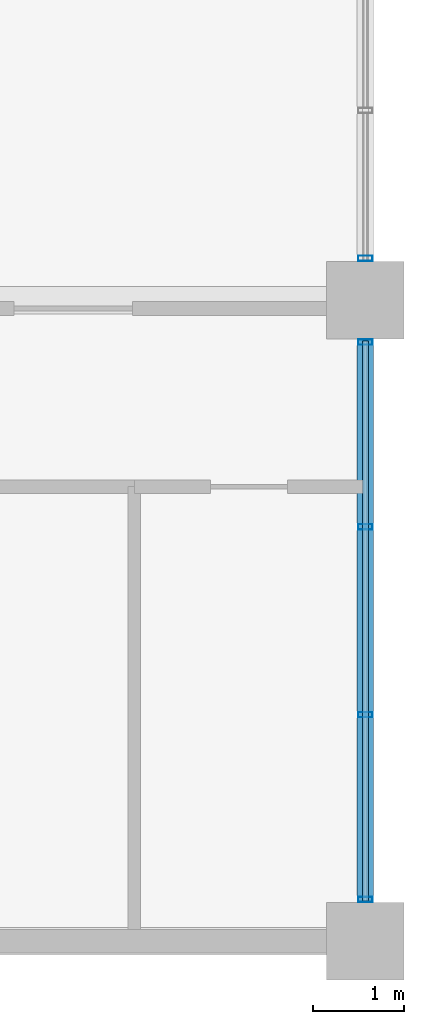
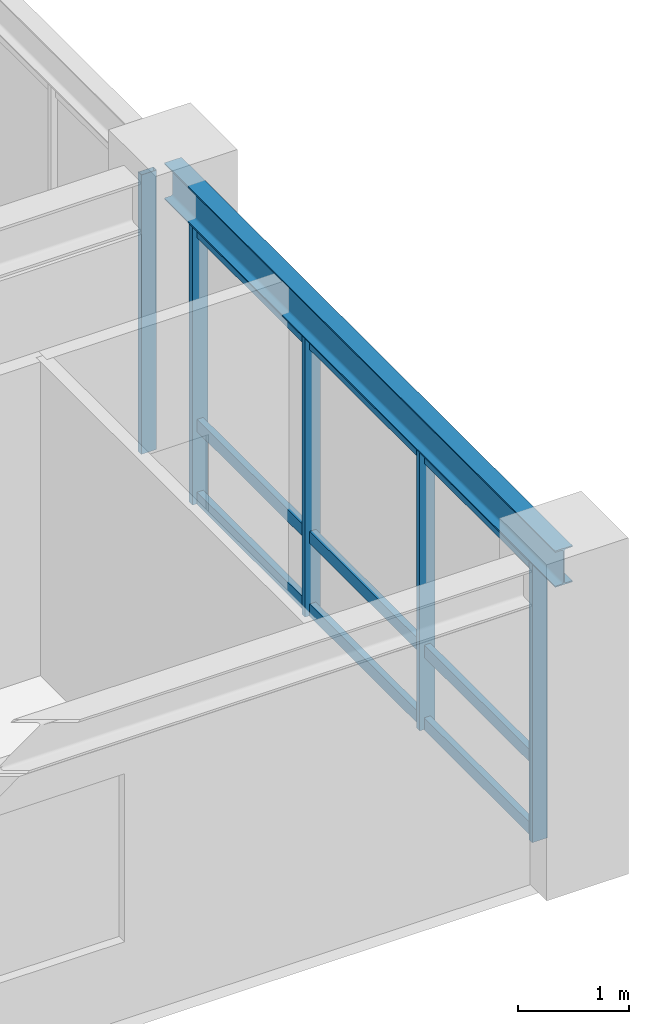
# One storey, part 2 of 10: 8 members, 1 beam, 2 elements without a shape of their own.
"""IFC4 building model written with IfcOpenShell, lengths in metres."""

from ifc_helpers import new_model, si_unit, direction, frame, origin, origin_2d, place, context, subcontext, project, spatial, hollow_rectangle, i_section, extrude, source, transform, mapped, material, layer, layer_set, material_profile, profile_set, type_object, element, aggregate, save


model = new_model("IFC4")

# Units and contexts
model_context = context("Model", 3, precision=1e-05, world=origin(), true_north=direction((0.0, 1.0)))
body_context = subcontext(model_context, "Body", "Model", "MODEL_VIEW")
ifc_project = project(units=[si_unit("LENGTHUNIT", "METRE"), si_unit("AREAUNIT", "SQUARE_METRE"), si_unit("VOLUMEUNIT", "CUBIC_METRE"), si_unit("PLANEANGLEUNIT", "RADIAN"), si_unit("MASSUNIT", "GRAM", prefix="KILO")], contexts=[model_context])

# Site, building, storey
site_placement = place(None, origin())
site = spatial("IfcSite", under=ifc_project, at=site_placement, CompositionType="ELEMENT")
building_placement = place(site_placement, origin())
building = spatial("IfcBuilding", under=site, at=building_placement, Name="Kaliganga Portal Commons", CompositionType="ELEMENT")
storey_placement = place(building_placement, frame((0.0, 0.0, 275.800048828125)))
storey = spatial("IfcBuildingStorey", under=building, at=storey_placement, Name="L71", CompositionType="ELEMENT", Elevation=275.800048828125)

# Beam
ifc_material_1 = material(Name="Structural steel S355J2", Category="steel")
ifc_material_profile_1 = material_profile(ifc_material_1, i_section(OverallWidth=0.179931640625, OverallDepth=0.39990234375, WebThickness=0.008544921875, FlangeThickness=0.013427734375, FilletRadius=0.02099609375, at=origin_2d()), Name="IPE 400")
ifc_profile_set_1 = profile_set([ifc_material_profile_1], Name="Structural steel S355J2 wide-flange")
beam_type = type_object("IfcBeamType", Name="BM-FLR-400", PredefinedType="BEAM", material=ifc_profile_set_1)
shared_shape_1 = source(origin(), body_context, "Body", "SweptSolid", [
    extrude(i_section(OverallWidth=0.179931640625, OverallDepth=0.39990234375, WebThickness=0.008544921875, FlangeThickness=0.013427734375, FilletRadius=0.02099609375, at=origin_2d()), origin(), (0.0, 0.0, 1.0), 7.0498046875),
])
beam_placement = place(storey_placement, frame((46.800048828125, 21.60009765625, 3.27490234375), z_axis=(0.0, 1.0, 0.0), x_axis=(-1.0, 0.0, 0.0)))
element("IfcBeam", 1, at=beam_placement, inside=storey, type_object=beam_type, Name="BM G L71 AS468", PredefinedType="BEAM", context=body_context, shape_type="MappedRepresentation", body=[
    mapped(shared_shape_1, transform((0.0, 0.0, 0.0), x_axis=(1.0, 0.0, 0.0), y_axis=(0.0, 1.0, 0.0), z_axis=(0.0, 0.0, 1.0), scale=1.0)),
])

# Curtain wall, members
ifc_material_2 = material(Name="Anodized Aluminium and Laminated Low-E Glass", Category="aluminium")
ifc_layer = layer(ifc_material_2, 0.18994140625)
ifc_layer_set = layer_set([ifc_layer], Name="Anodized Aluminium and Laminated Low-E Glass")
curtain_wall_type = type_object("IfcCurtainWallType", Name="CW-SYS-05", PredefinedType="NOTDEFINED", material=ifc_layer_set)
curtain_wall_1_placement = place(storey_placement, origin())
curtain_wall_1 = element("IfcCurtainWall", 2, at=curtain_wall_1_placement, inside=storey, type_object=curtain_wall_type, Name="CW 05 L71 P1E01S1", PredefinedType="NOTDEFINED")
ifc_material_3 = material(Name="Dark Bronze Anodized Aluminium", Category="aluminium")
ifc_material_profile_2 = material_profile(ifc_material_3, hollow_rectangle(XDim=0.06005859375, YDim=0.159912109375, WallThickness=0.00341796875, at=origin_2d()), Name="ALU MULL 60x160x3.5")
ifc_profile_set_2 = profile_set([ifc_material_profile_2], Name="Dark Bronze Anodized Aluminium")
member_type_1 = type_object("IfcMemberType", Name="CW-MUL-160", PredefinedType="MULLION", material=ifc_profile_set_2)
shared_shape_2 = source(origin(), body_context, "Body", "SweptSolid", [
    extrude(hollow_rectangle(XDim=0.06005859375, YDim=0.159912109375, WallThickness=0.00341796875, at=origin_2d()), origin(), (0.0, 0.0, 1.0), 3.074951171875),
])
member_1_placement = place(storey_placement, frame((46.800048828125, 22.06103515625, 0.0), z_axis=(0.0, 0.0, 1.0), x_axis=(0.0, 1.0, 0.0)))
member_1 = element("IfcMember", 3, at=member_1_placement, type_object=member_type_1, Name="CW:05:L71:P1E01S1 Mullion 00", PredefinedType="MULLION", context=body_context, shape_type="MappedRepresentation", body=[
    mapped(shared_shape_2, transform((0.0, 0.0, 0.0), x_axis=(1.0, 0.0, 0.0), y_axis=(0.0, 1.0, 0.0), z_axis=(0.0, 0.0, 1.0), scale=1.0)),
])
member_2_placement = place(storey_placement, frame((46.800048828125, 24.092041015625, 0.0), z_axis=(0.0, 0.0, 1.0), x_axis=(0.0, 1.0, 0.0)))
member_2 = element("IfcMember", 4, at=member_2_placement, type_object=member_type_1, Name="CW:05:L71:P1E01S1 Mullion 01", PredefinedType="MULLION", context=body_context, shape_type="MappedRepresentation", body=[
    mapped(shared_shape_2, transform((0.0, 0.0, 0.0), x_axis=(1.0, 0.0, 0.0), y_axis=(0.0, 1.0, 0.0), z_axis=(0.0, 0.0, 1.0), scale=1.0)),
])
member_3_placement = place(storey_placement, frame((46.800048828125, 26.157958984375, 0.0), z_axis=(0.0, 0.0, 1.0), x_axis=(0.0, 1.0, 0.0)))
member_3 = element("IfcMember", 5, at=member_3_placement, type_object=member_type_1, Name="CW:05:L71:P1E01S1 Mullion 02", PredefinedType="MULLION", context=body_context, shape_type="MappedRepresentation", body=[
    mapped(shared_shape_2, transform((0.0, 0.0, 0.0), x_axis=(1.0, 0.0, 0.0), y_axis=(0.0, 1.0, 0.0), z_axis=(0.0, 0.0, 1.0), scale=1.0)),
])
member_4_placement = place(storey_placement, frame((46.800048828125, 28.18896484375, 0.0), z_axis=(0.0, 0.0, 1.0), x_axis=(0.0, 1.0, 0.0)))
member_4 = element("IfcMember", 6, at=member_4_placement, type_object=member_type_1, Name="CW:05:L71:P1E01S1 Mullion 03", PredefinedType="MULLION", context=body_context, shape_type="MappedRepresentation", body=[
    mapped(shared_shape_2, transform((0.0, 0.0, 0.0), x_axis=(1.0, 0.0, 0.0), y_axis=(0.0, 1.0, 0.0), z_axis=(0.0, 0.0, 1.0), scale=1.0)),
])

# Curtain wall, member
curtain_wall_2_placement = place(storey_placement, origin())
curtain_wall_2 = element("IfcCurtainWall", 7, at=curtain_wall_2_placement, inside=storey, type_object=curtain_wall_type, Name="CW 05 L71 P1E01S2", PredefinedType="NOTDEFINED")
member_5_placement = place(storey_placement, frame((46.800048828125, 29.111083984375, 0.0), z_axis=(0.0, 0.0, 1.0), x_axis=(0.0, 1.0, 0.0)))
member_5 = element("IfcMember", 8, at=member_5_placement, type_object=member_type_1, Name="CW:05:L71:P1E01S2 Mullion 00", PredefinedType="MULLION", context=body_context, shape_type="MappedRepresentation", body=[
    mapped(shared_shape_2, transform((0.0, 0.0, 0.0), x_axis=(1.0, 0.0, 0.0), y_axis=(0.0, 1.0, 0.0), z_axis=(0.0, 0.0, 1.0), scale=1.0)),
])
aggregate(curtain_wall_2, [member_5])

# Member
ifc_material_profile_3 = material_profile(ifc_material_3, hollow_rectangle(XDim=0.06494140625, YDim=0.135009765625, WallThickness=0.00341796875, at=origin_2d()), Name="ALU TRAN 65x135x3.5")
ifc_profile_set_3 = profile_set([ifc_material_profile_3], Name="Dark Bronze Anodized Aluminium")
member_type_2 = type_object("IfcMemberType", Name="CW-TRN-135", PredefinedType="USERDEFINED", material=ifc_profile_set_3)
shared_shape_3 = source(origin(), body_context, "Body", "SweptSolid", [
    extrude(hollow_rectangle(XDim=0.06494140625, YDim=0.135009765625, WallThickness=0.00341796875, at=origin_2d()), origin(), (0.0, 0.0, 1.0), 6.158203125),
])
member_6_placement = place(storey_placement, frame((46.800048828125, 22.0458984375, 0.06005859375), z_axis=(0.0, 1.0, 0.0), x_axis=(-1.0, 0.0, 0.0)))
member_6 = element("IfcMember", 9, at=member_6_placement, type_object=member_type_2, Name="CW:05:L71:P1E01S1 Transom 1", ObjectType="TRANSOM", PredefinedType="USERDEFINED", context=body_context, shape_type="MappedRepresentation", body=[
    mapped(shared_shape_3, transform((0.0, 0.0, 0.0), x_axis=(1.0, 0.0, 0.0), y_axis=(0.0, 1.0, 0.0), z_axis=(0.0, 0.0, 1.0), scale=1.0)),
])

member_7_placement = place(storey_placement, frame((46.800048828125, 22.0458984375, 0.86083984375), z_axis=(0.0, 1.0, 0.0), x_axis=(-1.0, 0.0, 0.0)))
member_7 = element("IfcMember", 10, at=member_7_placement, type_object=member_type_2, Name="CW:05:L71:P1E01S1 Transom 2", ObjectType="TRANSOM", PredefinedType="USERDEFINED", context=body_context, shape_type="MappedRepresentation", body=[
    mapped(shared_shape_3, transform((0.0, 0.0, 0.0), x_axis=(1.0, 0.0, 0.0), y_axis=(0.0, 1.0, 0.0), z_axis=(0.0, 0.0, 1.0), scale=1.0)),
])

member_8_placement = place(storey_placement, frame((46.800048828125, 22.0458984375, 2.994873046875), z_axis=(0.0, 1.0, 0.0), x_axis=(-1.0, 0.0, 0.0)))
member_8 = element("IfcMember", 11, at=member_8_placement, type_object=member_type_2, Name="CW:05:L71:P1E01S1 Transom 3", ObjectType="TRANSOM", PredefinedType="USERDEFINED", context=body_context, shape_type="MappedRepresentation", body=[
    mapped(shared_shape_3, transform((0.0, 0.0, 0.0), x_axis=(1.0, 0.0, 0.0), y_axis=(0.0, 1.0, 0.0), z_axis=(0.0, 0.0, 1.0), scale=1.0)),
])

aggregate(curtain_wall_1, [member_1, member_2, member_3, member_4, member_6, member_7, member_8])

save(model, "model.ifc")
